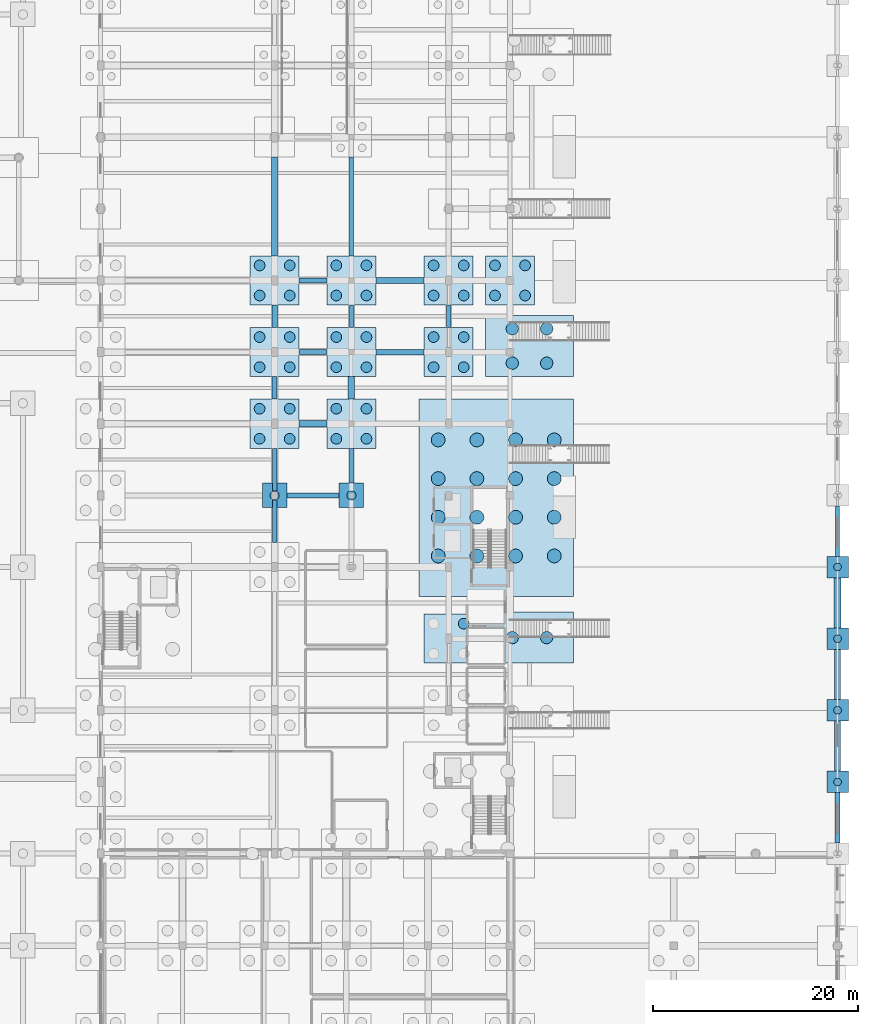
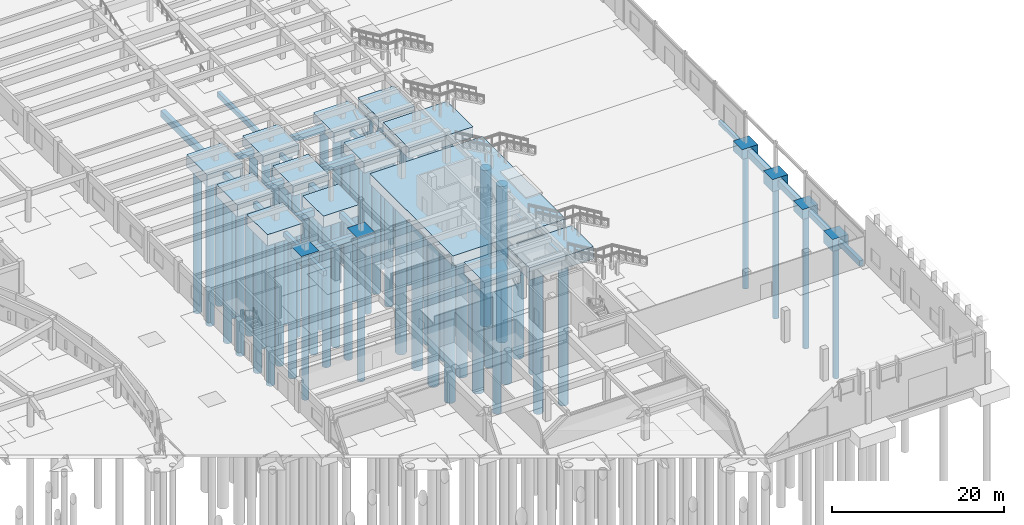
# One storey, part 10 of 84: 65 piles, 39 footings.
"""IFC4 building model written with IfcOpenShell, lengths in metres."""

from ifc_helpers import new_model, si_unit, direction, frame, origin, origin_2d, place, context, subcontext, project, spatial, rectangle, circle, extrude, material, material_profile, profile_set, type_object, element, save


model = new_model("IFC4")

# Units and contexts
model_context = context("Model", 3, precision=1e-05, world=origin(), true_north=direction((0.0, 1.0)))
body_context = subcontext(model_context, "Body", "Model", "MODEL_VIEW")
ifc_project = project(units=[si_unit("LENGTHUNIT", "METRE"), si_unit("AREAUNIT", "SQUARE_METRE"), si_unit("VOLUMEUNIT", "CUBIC_METRE"), si_unit("PLANEANGLEUNIT", "RADIAN"), si_unit("MASSUNIT", "GRAM", prefix="KILO")], contexts=[model_context])

# Site, building, storey
site_placement = place(None, origin())
site = spatial("IfcSite", under=ifc_project, at=site_placement, CompositionType="ELEMENT")
building_placement = place(site_placement, origin())
building = spatial("IfcBuilding", under=site, at=building_placement, Name="Larkveld Mobility Hub", CompositionType="ELEMENT")
storey_placement = place(building_placement, origin())
storey = spatial("IfcBuildingStorey", under=building, at=storey_placement, Name="L00", CompositionType="ELEMENT", Elevation=0.0)

# Footings
ifc_material = material(Name="Concrete C35/45", Category="concrete")
ifc_material_profile_1 = material_profile(ifc_material, rectangle(XDim=0.39990234375, YDim=0.60009765625, at=origin_2d()), Name="RC BM 400x600")
ifc_profile_set_1 = profile_set([ifc_material_profile_1], Name="Concrete C35/45")
footing_type_1 = type_object("IfcFootingType", Name="FT-FB01", PredefinedType="FOOTING_BEAM", material=ifc_profile_set_1)
footing_1_placement = place(storey_placement, frame((136.5, 79.39990234375, -0.64990234375), z_axis=(0.0, 1.0, 0.0), x_axis=(-1.0, 0.0, 0.0)))
element("IfcFooting", 1, at=footing_1_placement, inside=storey, type_object=footing_type_1, Name="Ground Tie Beam GB-169", PredefinedType="FOOTING_BEAM", context=body_context, shape_type="SweptSolid", body=[
    extrude(rectangle(XDim=0.39990234375, YDim=0.60009765625, at=origin_2d()), origin(), (0.0, 0.0, 1.0), 2.2001953125),
])
footing_2_placement = place(storey_placement, frame((184.0, 57.050048828125, -0.64990234375), z_axis=(0.0, 1.0, 0.0), x_axis=(-1.0, 0.0, 0.0)))
element("IfcFooting", 2, at=footing_2_placement, inside=storey, type_object=footing_type_1, Name="Ground Tie Beam GB-199", PredefinedType="FOOTING_BEAM", context=body_context, shape_type="SweptSolid", body=[
    extrude(rectangle(XDim=0.39990234375, YDim=0.60009765625, at=origin_2d()), origin(), (0.0, 0.0, 1.0), 4.89990234375),
])
ifc_material_profile_2 = material_profile(ifc_material, rectangle(XDim=0.449951171875, YDim=0.699951171875, at=origin_2d()), Name="RC BM 450x700")
ifc_profile_set_2 = profile_set([ifc_material_profile_2], Name="Concrete C35/45")
footing_type_2 = type_object("IfcFootingType", Name="FT-FB02", PredefinedType="FOOTING_BEAM", material=ifc_profile_set_2)
footing_3_placement = place(storey_placement, frame((129.0, 58.39990234375, -0.699951171875), z_axis=(0.0, 1.0, 0.0), x_axis=(-1.0, 0.0, 0.0)))
element("IfcFooting", 3, at=footing_3_placement, inside=storey, type_object=footing_type_2, Name="Ground Tie Beam GB-158", PredefinedType="FOOTING_BEAM", context=body_context, shape_type="SweptSolid", body=[
    extrude(rectangle(XDim=0.449951171875, YDim=0.699951171875, at=origin_2d()), origin(), (0.0, 0.0, 1.0), 9.2001953125),
])
footing_4_placement = place(storey_placement, frame((136.5, 86.39990234375, -0.699951171875), z_axis=(0.0, 1.0, 0.0), x_axis=(-1.0, 0.0, 0.0)))
element("IfcFooting", 4, at=footing_4_placement, inside=storey, type_object=footing_type_2, Name="Ground Tie Beam GB-170", PredefinedType="FOOTING_BEAM", context=body_context, shape_type="SweptSolid", body=[
    extrude(rectangle(XDim=0.449951171875, YDim=0.699951171875, at=origin_2d()), origin(), (0.0, 0.0, 1.0), 9.650146484375),
])
footing_5_placement = place(storey_placement, frame((146.0, 79.39990234375, -0.699951171875), z_axis=(0.0, 1.0, 0.0), x_axis=(-1.0, 0.0, 0.0)))
element("IfcFooting", 5, at=footing_5_placement, inside=storey, type_object=footing_type_2, Name="Ground Tie Beam GB-176", PredefinedType="FOOTING_BEAM", context=body_context, shape_type="SweptSolid", body=[
    extrude(rectangle(XDim=0.449951171875, YDim=0.699951171875, at=origin_2d()), origin(), (0.0, 0.0, 1.0), 2.2001953125),
])
ifc_material_profile_3 = material_profile(ifc_material, rectangle(XDim=0.5, YDim=0.800048828125, at=origin_2d()), Name="RC BM 500x800")
ifc_profile_set_3 = profile_set([ifc_material_profile_3], Name="Concrete C35/45")
footing_type_3 = type_object("IfcFootingType", Name="FT-FB03", PredefinedType="FOOTING_BEAM", material=ifc_profile_set_3)
for number, where, z_axis, x_axis, name in (
    (6, (131.39990234375, 77.0, -0.75), (1.0, 0.0, 0.0), (0.0, 1.0, 0.0), "Ground Tie Beam GB-045"),
    (7, (131.39990234375, 84.0, -0.75), (1.0, 0.0, 0.0), (0.0, 1.0, 0.0), "Ground Tie Beam GB-051"),
):
    element("IfcFooting", number, at=place(storey_placement, frame(where, z_axis=z_axis, x_axis=x_axis)), inside=storey, type_object=footing_type_3, Name=name, PredefinedType="FOOTING_BEAM", context=body_context, shape_type="SweptSolid", body=[
        extrude(rectangle(XDim=0.5, YDim=0.800048828125, at=origin_2d()), origin(), (0.0, 0.0, 1.0), 2.7001953125),
    ])
footing_6_placement = place(storey_placement, frame((129.0, 72.39990234375, -0.75), z_axis=(0.0, 1.0, 0.0), x_axis=(-1.0, 0.0, 0.0)))
element("IfcFooting", 8, at=footing_6_placement, inside=storey, type_object=footing_type_3, Name="Ground Tie Beam GB-159", PredefinedType="FOOTING_BEAM", context=body_context, shape_type="SweptSolid", body=[
    extrude(rectangle(XDim=0.5, YDim=0.800048828125, at=origin_2d()), origin(), (0.0, 0.0, 1.0), 2.2001953125),
])
footing_7_placement = place(storey_placement, frame((184.0, 29.050048828125, -0.75), z_axis=(0.0, 1.0, 0.0), x_axis=(-1.0, 0.0, 0.0)))
element("IfcFooting", 9, at=footing_7_placement, inside=storey, type_object=footing_type_3, Name="Ground Tie Beam GB-195", PredefinedType="FOOTING_BEAM", context=body_context, shape_type="SweptSolid", body=[
    extrude(rectangle(XDim=0.5, YDim=0.800048828125, at=origin_2d()), origin(), (0.0, 0.0, 1.0), 4.89990234375),
])
footing_8_placement = place(storey_placement, frame((130.199951171875, 63.0, -0.580078125), z_axis=(1.0, 0.0, 0.0), x_axis=(0.0, 1.0, 0.0)))
element("IfcFooting", 10, at=footing_8_placement, inside=storey, type_object=footing_type_3, Name="Passage Ground Tie Beam PGB-013", PredefinedType="FOOTING_BEAM", context=body_context, shape_type="SweptSolid", body=[
    extrude(rectangle(XDim=0.5, YDim=0.800048828125, at=origin_2d()), origin(), (0.0, 0.0, 1.0), 5.10009765625),
])
footing_9_placement = place(storey_placement, frame((136.5, 64.199951171875, -0.580078125), z_axis=(0.0, 1.0, 0.0), x_axis=(-1.0, 0.0, 0.0)))
element("IfcFooting", 11, at=footing_9_placement, inside=storey, type_object=footing_type_3, Name="Passage Ground Tie Beam PGB-031", PredefinedType="FOOTING_BEAM", context=body_context, shape_type="SweptSolid", body=[
    extrude(rectangle(XDim=0.5, YDim=0.800048828125, at=origin_2d()), origin(), (0.0, 0.0, 1.0), 3.400146484375),
])
ifc_material_profile_4 = material_profile(ifc_material, rectangle(XDim=0.550048828125, YDim=0.85009765625, at=origin_2d()), Name="RC BM 550x850")
ifc_profile_set_4 = profile_set([ifc_material_profile_4], Name="Concrete C35/45")
footing_type_4 = type_object("IfcFootingType", Name="FT-FB04", PredefinedType="FOOTING_BEAM", material=ifc_profile_set_4)
for number, where, z_axis, x_axis, name in (
    (12, (138.89990234375, 77.0, -0.77490234375), (1.0, 0.0, 0.0), (0.0, 1.0, 0.0), "Ground Tie Beam GB-046"),
    (13, (138.89990234375, 84.0, -0.77490234375), (1.0, 0.0, 0.0), (0.0, 1.0, 0.0), "Ground Tie Beam GB-052"),
):
    element("IfcFooting", number, at=place(storey_placement, frame(where, z_axis=z_axis, x_axis=x_axis)), inside=storey, type_object=footing_type_4, Name=name, PredefinedType="FOOTING_BEAM", context=body_context, shape_type="SweptSolid", body=[
        extrude(rectangle(XDim=0.550048828125, YDim=0.85009765625, at=origin_2d()), origin(), (0.0, 0.0, 1.0), 4.7001953125),
    ])
footing_10_placement = place(storey_placement, frame((129.0, 79.39990234375, -0.77490234375), z_axis=(0.0, 1.0, 0.0), x_axis=(-1.0, 0.0, 0.0)))
element("IfcFooting", 14, at=footing_10_placement, inside=storey, type_object=footing_type_4, Name="Ground Tie Beam GB-160", PredefinedType="FOOTING_BEAM", context=body_context, shape_type="SweptSolid", body=[
    extrude(rectangle(XDim=0.550048828125, YDim=0.85009765625, at=origin_2d()), origin(), (0.0, 0.0, 1.0), 2.2001953125),
])
footing_11_placement = place(storey_placement, frame((184.0, 36.050048828125, -0.77490234375), z_axis=(0.0, 1.0, 0.0), x_axis=(-1.0, 0.0, 0.0)))
element("IfcFooting", 15, at=footing_11_placement, inside=storey, type_object=footing_type_4, Name="Ground Tie Beam GB-196", PredefinedType="FOOTING_BEAM", context=body_context, shape_type="SweptSolid", body=[
    extrude(rectangle(XDim=0.550048828125, YDim=0.85009765625, at=origin_2d()), origin(), (0.0, 0.0, 1.0), 4.89990234375),
])
ifc_material_profile_5 = material_profile(ifc_material, rectangle(XDim=0.60009765625, YDim=0.89990234375, at=origin_2d()), Name="RC BM 600x900")
ifc_profile_set_5 = profile_set([ifc_material_profile_5], Name="Concrete C35/45")
footing_type_5 = type_object("IfcFootingType", Name="FT-FB05", PredefinedType="FOOTING_BEAM", material=ifc_profile_set_5)
footing_12_placement = place(storey_placement, frame((131.39990234375, 70.0, -0.800048828125), z_axis=(1.0, 0.0, 0.0), x_axis=(0.0, 1.0, 0.0)))
element("IfcFooting", 16, at=footing_12_placement, inside=storey, type_object=footing_type_5, Name="Ground Tie Beam GB-041", PredefinedType="FOOTING_BEAM", context=body_context, shape_type="SweptSolid", body=[
    extrude(rectangle(XDim=0.60009765625, YDim=0.89990234375, at=origin_2d()), origin(), (0.0, 0.0, 1.0), 2.7001953125),
])
footing_13_placement = place(storey_placement, frame((129.0, 86.39990234375, -0.800048828125), z_axis=(0.0, 1.0, 0.0), x_axis=(-1.0, 0.0, 0.0)))
element("IfcFooting", 17, at=footing_13_placement, inside=storey, type_object=footing_type_5, Name="Ground Tie Beam GB-161", PredefinedType="FOOTING_BEAM", context=body_context, shape_type="SweptSolid", body=[
    extrude(rectangle(XDim=0.60009765625, YDim=0.89990234375, at=origin_2d()), origin(), (0.0, 0.0, 1.0), 9.650146484375),
])
footing_14_placement = place(storey_placement, frame((184.0, 43.050048828125, -0.800048828125), z_axis=(0.0, 1.0, 0.0), x_axis=(-1.0, 0.0, 0.0)))
element("IfcFooting", 18, at=footing_14_placement, inside=storey, type_object=footing_type_5, Name="Ground Tie Beam GB-197", PredefinedType="FOOTING_BEAM", context=body_context, shape_type="SweptSolid", body=[
    extrude(rectangle(XDim=0.60009765625, YDim=0.89990234375, at=origin_2d()), origin(), (0.0, 0.0, 1.0), 4.89990234375),
])
ifc_material_profile_6 = material_profile(ifc_material, rectangle(XDim=0.64990234375, YDim=1.0, at=origin_2d()), Name="RC BM 650x1000")
ifc_profile_set_6 = profile_set([ifc_material_profile_6], Name="Concrete C35/45")
footing_type_6 = type_object("IfcFootingType", Name="FT-FB06", PredefinedType="FOOTING_BEAM", material=ifc_profile_set_6)
footing_15_placement = place(storey_placement, frame((136.5, 72.39990234375, -0.85009765625), z_axis=(0.0, 1.0, 0.0), x_axis=(-1.0, 0.0, 0.0)))
element("IfcFooting", 19, at=footing_15_placement, inside=storey, type_object=footing_type_6, Name="Ground Tie Beam GB-168", PredefinedType="FOOTING_BEAM", context=body_context, shape_type="SweptSolid", body=[
    extrude(rectangle(XDim=0.64990234375, YDim=1.0, at=origin_2d()), origin(), (0.0, 0.0, 1.0), 2.2001953125),
])
footing_16_placement = place(storey_placement, frame((184.0, 50.050048828125, -0.85009765625), z_axis=(0.0, 1.0, 0.0), x_axis=(-1.0, 0.0, 0.0)))
element("IfcFooting", 20, at=footing_16_placement, inside=storey, type_object=footing_type_6, Name="Ground Tie Beam GB-198", PredefinedType="FOOTING_BEAM", context=body_context, shape_type="SweptSolid", body=[
    extrude(rectangle(XDim=0.64990234375, YDim=1.0, at=origin_2d()), origin(), (0.0, 0.0, 1.0), 4.89990234375),
])
footing_type_7 = type_object("IfcFootingType", Name="FT-PC01", PredefinedType="PILE_CAP", material=ifc_material)
footing_17_placement = place(storey_placement, frame((184.0, 56.0, -1.39990234375), z_axis=(0.0, 0.0, 1.0), x_axis=(1.0, 0.0, 0.0)))
element("IfcFooting", 21, at=footing_17_placement, inside=storey, type_object=footing_type_7, Name="Pile Cap PC-097", PredefinedType="PILE_CAP", context=body_context, shape_type="SweptSolid", body=[
    extrude(rectangle(XDim=2.10009765625, YDim=2.10009765625, at=origin_2d()), origin(), (0.0, 0.0, 1.0), 1.39990234375),
])
for number, where, z_axis, x_axis, name in (
    (22, (136.5, 77.0, -1.39990234375), (0.0, 0.0, 1.0), (1.0, 0.0, 0.0), "Pile Cap PC-129"),
    (23, (136.5, 84.0, -1.39990234375), (0.0, 0.0, 1.0), (1.0, 0.0, 0.0), "Pile Cap PC-145"),
):
    element("IfcFooting", number, at=place(storey_placement, frame(where, z_axis=z_axis, x_axis=x_axis)), inside=storey, type_object=footing_type_7, Name=name, PredefinedType="PILE_CAP", context=body_context, shape_type="SweptSolid", body=[
        extrude(rectangle(XDim=4.800048828125, YDim=4.800048828125, at=origin_2d()), origin(), (0.0, 0.0, 1.0), 1.39990234375),
    ])
footing_type_8 = type_object("IfcFootingType", Name="FT-PC02", PredefinedType="PILE_CAP", material=ifc_material)
for number, where, z_axis, x_axis, name in (
    (24, (146.0, 77.0, -1.4501953125), (0.0, 0.0, 1.0), (1.0, 0.0, 0.0), "Pile Cap PC-130"),
    (25, (146.0, 84.0, -1.4501953125), (0.0, 0.0, 1.0), (1.0, 0.0, 0.0), "Pile Cap PC-146"),
):
    element("IfcFooting", number, at=place(storey_placement, frame(where, z_axis=z_axis, x_axis=x_axis)), inside=storey, type_object=footing_type_8, Name=name, PredefinedType="PILE_CAP", context=body_context, shape_type="SweptSolid", body=[
        extrude(rectangle(XDim=4.800048828125, YDim=4.800048828125, at=origin_2d()), origin(), (0.0, 0.0, 1.0), 1.449951171875),
    ])
footing_type_9 = type_object("IfcFootingType", Name="FT-PC03", PredefinedType="PILE_CAP", material=ifc_material)
footing_18_placement = place(storey_placement, frame((153.89990234375, 77.60009765625, -1.5), z_axis=(0.0, 0.0, 1.0), x_axis=(1.0, 0.0, 0.0)))
element("IfcFooting", 26, at=footing_18_placement, inside=storey, type_object=footing_type_9, Name="Pile Cap PC-131", PredefinedType="PILE_CAP", context=body_context, shape_type="SweptSolid", body=[
    extrude(rectangle(XDim=8.60009765625, YDim=6.0, at=origin_2d()), origin(), (0.0, 0.0, 1.0), 1.5),
])
footing_19_placement = place(storey_placement, frame((152.0, 84.0, -1.5), z_axis=(0.0, 0.0, 1.0), x_axis=(1.0, 0.0, 0.0)))
element("IfcFooting", 27, at=footing_19_placement, inside=storey, type_object=footing_type_9, Name="Pile Cap PC-147", PredefinedType="PILE_CAP", context=body_context, shape_type="SweptSolid", body=[
    extrude(rectangle(XDim=4.800048828125, YDim=4.800048828125, at=origin_2d()), origin(), (0.0, 0.0, 1.0), 1.5),
])
footing_type_10 = type_object("IfcFootingType", Name="FT-PC05", PredefinedType="PILE_CAP", material=ifc_material)
footing_20_placement = place(storey_placement, frame((129.0, 70.0, -1.60009765625), z_axis=(0.0, 0.0, 1.0), x_axis=(1.0, 0.0, 0.0)))
element("IfcFooting", 28, at=footing_20_placement, inside=storey, type_object=footing_type_10, Name="Pile Cap PC-117", PredefinedType="PILE_CAP", context=body_context, shape_type="SweptSolid", body=[
    extrude(rectangle(XDim=4.800048828125, YDim=4.800048828125, at=origin_2d()), origin(), (0.0, 0.0, 1.0), 1.60009765625),
])
footing_type_11 = type_object("IfcFootingType", Name="FT-PC06", PredefinedType="PILE_CAP", material=ifc_material)
footing_21_placement = place(storey_placement, frame((136.5, 70.0, -1.60009765625), z_axis=(0.0, 0.0, 1.0), x_axis=(1.0, 0.0, 0.0)))
element("IfcFooting", 29, at=footing_21_placement, inside=storey, type_object=footing_type_11, Name="Pile Cap PC-118", PredefinedType="PILE_CAP", context=body_context, shape_type="SweptSolid", body=[
    extrude(rectangle(XDim=4.800048828125, YDim=4.800048828125, at=origin_2d()), origin(), (0.0, 0.0, 1.0), 1.60009765625),
])
footing_type_12 = type_object("IfcFootingType", Name="FT-PC08", PredefinedType="PILE_CAP", material=ifc_material)
footing_22_placement = place(storey_placement, frame((146.0, 49.0, -1.7001953125), z_axis=(0.0, 0.0, 1.0), x_axis=(1.0, 0.0, 0.0)))
element("IfcFooting", 30, at=footing_22_placement, inside=storey, type_object=footing_type_12, Name="Pile Cap PC-088", PredefinedType="PILE_CAP", context=body_context, shape_type="SweptSolid", body=[
    extrude(rectangle(XDim=4.800048828125, YDim=4.800048828125, at=origin_2d()), origin(), (0.0, 0.0, 1.0), 1.699951171875),
])
footing_type_13 = type_object("IfcFootingType", Name="FT-PC09", PredefinedType="PILE_CAP", material=ifc_material)
footing_23_placement = place(storey_placement, frame((153.89990234375, 49.10009765625, -1.75), z_axis=(0.0, 0.0, 1.0), x_axis=(1.0, 0.0, 0.0)))
element("IfcFooting", 31, at=footing_23_placement, inside=storey, type_object=footing_type_13, Name="Pile Cap PC-089", PredefinedType="PILE_CAP", context=body_context, shape_type="SweptSolid", body=[
    extrude(rectangle(XDim=8.60009765625, YDim=5.0, at=origin_2d()), origin(), (0.0, 0.0, 1.0), 1.75),
])
footing_type_14 = type_object("IfcFootingType", Name="FT-PC10", PredefinedType="PILE_CAP", material=ifc_material)
footing_24_placement = place(storey_placement, frame((184.0, 49.0, -1.75), z_axis=(0.0, 0.0, 1.0), x_axis=(1.0, 0.0, 0.0)))
element("IfcFooting", 32, at=footing_24_placement, inside=storey, type_object=footing_type_14, Name="Pile Cap PC-090", PredefinedType="PILE_CAP", context=body_context, shape_type="SweptSolid", body=[
    extrude(rectangle(XDim=2.10009765625, YDim=2.10009765625, at=origin_2d()), origin(), (0.0, 0.0, 1.0), 1.75),
])
footing_type_15 = type_object("IfcFootingType", Name="FT-PC13", PredefinedType="PILE_CAP", material=ifc_material)
footing_25_placement = place(storey_placement, frame((184.0, 42.0, -1.419921875), z_axis=(0.0, 0.0, 1.0), x_axis=(1.0, 0.0, 0.0)))
element("IfcFooting", 33, at=footing_25_placement, inside=storey, type_object=footing_type_15, Name="Pile Cap PC-077", PredefinedType="PILE_CAP", context=body_context, shape_type="SweptSolid", body=[
    extrude(rectangle(XDim=2.10009765625, YDim=2.10009765625, at=origin_2d()), origin(), (0.0, 0.0, 1.0), 1.419921875),
])
footing_26_placement = place(storey_placement, frame((150.64990234375, 62.75, -1.419921875), z_axis=(0.0, 0.0, 1.0), x_axis=(1.0, 0.0, 0.0)))
element("IfcFooting", 34, at=footing_26_placement, inside=storey, type_object=footing_type_15, Name="Pile Cap PC-093", PredefinedType="PILE_CAP", context=body_context, shape_type="SweptSolid", body=[
    extrude(rectangle(XDim=15.10009765625, YDim=19.300048828125, at=origin_2d()), origin(), (0.0, 0.0, 1.0), 1.419921875),
])
for number, where, z_axis, x_axis, name in (
    (35, (129.0, 63.0, -1.419921875), (0.0, 0.0, 1.0), (1.0, 0.0, 0.0), "Plinth Pile Cap PC-DL03"),
    (36, (136.5, 63.0, -1.419921875), (0.0, 0.0, 1.0), (1.0, 0.0, 0.0), "Plinth Pile Cap PC-DL05"),
):
    element("IfcFooting", number, at=place(storey_placement, frame(where, z_axis=z_axis, x_axis=x_axis)), inside=storey, type_object=footing_type_15, Name=name, PredefinedType="PILE_CAP", context=body_context, shape_type="SweptSolid", body=[
        extrude(rectangle(XDim=2.39990234375, YDim=2.39990234375, at=origin_2d()), origin(), (0.0, 0.0, 1.0), 1.419921875),
    ])
footing_type_16 = type_object("IfcFootingType", Name="FT-PC16", PredefinedType="PILE_CAP", material=ifc_material)
footing_27_placement = place(storey_placement, frame((184.0, 35.0, -1.72021484375), z_axis=(0.0, 0.0, 1.0), x_axis=(1.0, 0.0, 0.0)))
element("IfcFooting", 37, at=footing_27_placement, inside=storey, type_object=footing_type_16, Name="Pile Cap PC-064", PredefinedType="PILE_CAP", context=body_context, shape_type="SweptSolid", body=[
    extrude(rectangle(XDim=2.10009765625, YDim=2.10009765625, at=origin_2d()), origin(), (0.0, 0.0, 1.0), 1.719970703125),
])
for number, where, z_axis, x_axis, name in (
    (38, (129.0, 77.0, -1.72021484375), (0.0, 0.0, 1.0), (1.0, 0.0, 0.0), "Pile Cap PC-128"),
    (39, (129.0, 84.0, -1.72021484375), (0.0, 0.0, 1.0), (1.0, 0.0, 0.0), "Pile Cap PC-144"),
):
    element("IfcFooting", number, at=place(storey_placement, frame(where, z_axis=z_axis, x_axis=x_axis)), inside=storey, type_object=footing_type_16, Name=name, PredefinedType="PILE_CAP", context=body_context, shape_type="SweptSolid", body=[
        extrude(rectangle(XDim=4.800048828125, YDim=4.800048828125, at=origin_2d()), origin(), (0.0, 0.0, 1.0), 1.719970703125),
    ])

# Piles
ifc_material_profile_7 = material_profile(ifc_material, circle(Radius=0.375, at=origin_2d()), Name="PILE D750")
ifc_profile_set_7 = profile_set([ifc_material_profile_7], Name="Concrete C35/45")
pile_type_1 = type_object("IfcPileType", Name="PL-B0750", PredefinedType="BORED", material=ifc_profile_set_7)
pile_1_placement = place(storey_placement, frame((184.0, 35.0, -1.6201171875), z_axis=(0.0, 0.0, -1.0), x_axis=(1.0, 0.0, 0.0)))
element("IfcPile", 40, at=pile_1_placement, inside=storey, type_object=pile_type_1, Name="Bored Pile P-0207", PredefinedType="BORED", context=body_context, shape_type="SweptSolid", body=[
    extrude(circle(Radius=0.375, at=origin_2d()), origin(), (0.0, 0.0, 1.0), 18.8798828125),
])
pile_2_placement = place(storey_placement, frame((184.0, 42.0, -1.320068359375), z_axis=(0.0, 0.0, -1.0), x_axis=(1.0, 0.0, 0.0)))
element("IfcPile", 41, at=pile_2_placement, inside=storey, type_object=pile_type_1, Name="Bored Pile P-0236", PredefinedType="BORED", context=body_context, shape_type="SweptSolid", body=[
    extrude(circle(Radius=0.375, at=origin_2d()), origin(), (0.0, 0.0, 1.0), 19.179931640625),
])
pile_3_placement = place(storey_placement, frame((184.0, 49.0, -1.64990234375), z_axis=(0.0, 0.0, -1.0), x_axis=(1.0, 0.0, 0.0)))
element("IfcPile", 42, at=pile_3_placement, inside=storey, type_object=pile_type_1, Name="Bored Pile P-0272", PredefinedType="BORED", context=body_context, shape_type="SweptSolid", body=[
    extrude(circle(Radius=0.375, at=origin_2d()), origin(), (0.0, 0.0, 1.0), 18.85009765625),
])
pile_4_placement = place(storey_placement, frame((184.0, 56.0, -1.300048828125), z_axis=(0.0, 0.0, -1.0), x_axis=(1.0, 0.0, 0.0)))
element("IfcPile", 43, at=pile_4_placement, inside=storey, type_object=pile_type_1, Name="Bored Pile P-0297", PredefinedType="BORED", context=body_context, shape_type="SweptSolid", body=[
    extrude(circle(Radius=0.375, at=origin_2d()), origin(), (0.0, 0.0, 1.0), 19.199951171875),
])
ifc_material_profile_8 = material_profile(ifc_material, circle(Radius=0.449951171875, at=origin_2d()), Name="PILE D900")
ifc_profile_set_8 = profile_set([ifc_material_profile_8], Name="Concrete C35/45")
pile_type_2 = type_object("IfcPileType", Name="PL-B0900", PredefinedType="BORED", material=ifc_profile_set_8)
for number, where, z_axis, x_axis, name in (
    (44, (129.0, 63.0, -1.320068359375), (0.0, 0.0, -1.0), (1.0, 0.0, 0.0), "Bored Pile P-DL03"),
    (45, (136.5, 63.0, -1.320068359375), (0.0, 0.0, -1.0), (1.0, 0.0, 0.0), "Bored Pile P-DL05"),
):
    element("IfcPile", number, at=place(storey_placement, frame(where, z_axis=z_axis, x_axis=x_axis)), inside=storey, type_object=pile_type_2, Name=name, PredefinedType="BORED", context=body_context, shape_type="SweptSolid", body=[
        extrude(circle(Radius=0.449951171875, at=origin_2d()), origin(), (0.0, 0.0, 1.0), 19.8798828125),
    ])
ifc_material_profile_9 = material_profile(ifc_material, circle(Radius=0.52490234375, at=origin_2d()), Name="PILE D1050")
ifc_profile_set_9 = profile_set([ifc_material_profile_9], Name="Concrete C35/45")
pile_type_3 = type_object("IfcPileType", Name="PL-B1050", PredefinedType="BORED", material=ifc_profile_set_9)
pile_5_placement = place(storey_placement, frame((147.469970703125, 50.469970703125, -1.60009765625), z_axis=(0.0, 0.0, -1.0), x_axis=(1.0, 0.0, 0.0)))
element("IfcPile", 46, at=pile_5_placement, inside=storey, type_object=pile_type_3, Name="Bored Pile P-0269", PredefinedType="BORED", context=body_context, shape_type="SweptSolid", body=[
    extrude(circle(Radius=0.52490234375, at=origin_2d()), origin(), (0.0, 0.0, 1.0), 20.39990234375),
])
for number, where, z_axis, x_axis, name in (
    (47, (127.530029296875, 68.530029296875, -1.5), (0.0, 0.0, -1.0), (1.0, 0.0, 0.0), "Bored Pile P-0332"),
    (48, (127.530029296875, 71.469970703125, -1.5), (0.0, 0.0, -1.0), (1.0, 0.0, 0.0), "Bored Pile P-0333"),
    (49, (130.469970703125, 68.530029296875, -1.5), (0.0, 0.0, -1.0), (1.0, 0.0, 0.0), "Bored Pile P-0334"),
    (50, (130.469970703125, 71.469970703125, -1.5), (0.0, 0.0, -1.0), (1.0, 0.0, 0.0), "Bored Pile P-0335"),
    (51, (135.030029296875, 68.530029296875, -1.5), (0.0, 0.0, -1.0), (1.0, 0.0, 0.0), "Bored Pile P-0336"),
    (52, (135.030029296875, 71.469970703125, -1.5), (0.0, 0.0, -1.0), (1.0, 0.0, 0.0), "Bored Pile P-0337"),
    (53, (137.969970703125, 68.530029296875, -1.5), (0.0, 0.0, -1.0), (1.0, 0.0, 0.0), "Bored Pile P-0338"),
    (54, (137.969970703125, 71.469970703125, -1.5), (0.0, 0.0, -1.0), (1.0, 0.0, 0.0), "Bored Pile P-0339"),
):
    element("IfcPile", number, at=place(storey_placement, frame(where, z_axis=z_axis, x_axis=x_axis)), inside=storey, type_object=pile_type_3, Name=name, PredefinedType="BORED", context=body_context, shape_type="SweptSolid", body=[
        extrude(circle(Radius=0.52490234375, at=origin_2d()), origin(), (0.0, 0.0, 1.0), 20.5),
    ])
for number, where, z_axis, x_axis, name in (
    (55, (127.530029296875, 75.530029296875, -1.6201171875), (0.0, 0.0, -1.0), (1.0, 0.0, 0.0), "Bored Pile P-0361"),
    (56, (127.530029296875, 78.469970703125, -1.6201171875), (0.0, 0.0, -1.0), (1.0, 0.0, 0.0), "Bored Pile P-0362"),
    (57, (130.469970703125, 75.530029296875, -1.6201171875), (0.0, 0.0, -1.0), (1.0, 0.0, 0.0), "Bored Pile P-0363"),
    (58, (130.469970703125, 78.469970703125, -1.6201171875), (0.0, 0.0, -1.0), (1.0, 0.0, 0.0), "Bored Pile P-0364"),
):
    element("IfcPile", number, at=place(storey_placement, frame(where, z_axis=z_axis, x_axis=x_axis)), inside=storey, type_object=pile_type_3, Name=name, PredefinedType="BORED", context=body_context, shape_type="SweptSolid", body=[
        extrude(circle(Radius=0.52490234375, at=origin_2d()), origin(), (0.0, 0.0, 1.0), 20.3798828125),
    ])
for number, where, z_axis, x_axis, name in (
    (59, (135.030029296875, 75.530029296875, -1.300048828125), (0.0, 0.0, -1.0), (1.0, 0.0, 0.0), "Bored Pile P-0365"),
    (60, (135.030029296875, 78.469970703125, -1.300048828125), (0.0, 0.0, -1.0), (1.0, 0.0, 0.0), "Bored Pile P-0366"),
    (61, (137.969970703125, 75.530029296875, -1.300048828125), (0.0, 0.0, -1.0), (1.0, 0.0, 0.0), "Bored Pile P-0367"),
    (62, (137.969970703125, 78.469970703125, -1.300048828125), (0.0, 0.0, -1.0), (1.0, 0.0, 0.0), "Bored Pile P-0368"),
):
    element("IfcPile", number, at=place(storey_placement, frame(where, z_axis=z_axis, x_axis=x_axis)), inside=storey, type_object=pile_type_3, Name=name, PredefinedType="BORED", context=body_context, shape_type="SweptSolid", body=[
        extrude(circle(Radius=0.52490234375, at=origin_2d()), origin(), (0.0, 0.0, 1.0), 20.699951171875),
    ])
for number, where, z_axis, x_axis, name in (
    (63, (144.530029296875, 75.530029296875, -1.35009765625), (0.0, 0.0, -1.0), (1.0, 0.0, 0.0), "Bored Pile P-0369"),
    (64, (144.530029296875, 78.469970703125, -1.35009765625), (0.0, 0.0, -1.0), (1.0, 0.0, 0.0), "Bored Pile P-0370"),
    (65, (147.469970703125, 75.530029296875, -1.35009765625), (0.0, 0.0, -1.0), (1.0, 0.0, 0.0), "Bored Pile P-0371"),
    (66, (147.469970703125, 78.469970703125, -1.35009765625), (0.0, 0.0, -1.0), (1.0, 0.0, 0.0), "Bored Pile P-0372"),
):
    element("IfcPile", number, at=place(storey_placement, frame(where, z_axis=z_axis, x_axis=x_axis)), inside=storey, type_object=pile_type_3, Name=name, PredefinedType="BORED", context=body_context, shape_type="SweptSolid", body=[
        extrude(circle(Radius=0.52490234375, at=origin_2d()), origin(), (0.0, 0.0, 1.0), 20.64990234375),
    ])
for number, where, z_axis, x_axis, name in (
    (67, (127.530029296875, 82.530029296875, -1.6201171875), (0.0, 0.0, -1.0), (1.0, 0.0, 0.0), "Bored Pile P-0422"),
    (68, (127.530029296875, 85.469970703125, -1.6201171875), (0.0, 0.0, -1.0), (1.0, 0.0, 0.0), "Bored Pile P-0423"),
    (69, (130.469970703125, 82.530029296875, -1.6201171875), (0.0, 0.0, -1.0), (1.0, 0.0, 0.0), "Bored Pile P-0424"),
    (70, (130.469970703125, 85.469970703125, -1.6201171875), (0.0, 0.0, -1.0), (1.0, 0.0, 0.0), "Bored Pile P-0425"),
):
    element("IfcPile", number, at=place(storey_placement, frame(where, z_axis=z_axis, x_axis=x_axis)), inside=storey, type_object=pile_type_3, Name=name, PredefinedType="BORED", context=body_context, shape_type="SweptSolid", body=[
        extrude(circle(Radius=0.52490234375, at=origin_2d()), origin(), (0.0, 0.0, 1.0), 20.3798828125),
    ])
for number, where, z_axis, x_axis, name in (
    (71, (135.030029296875, 82.530029296875, -1.300048828125), (0.0, 0.0, -1.0), (1.0, 0.0, 0.0), "Bored Pile P-0426"),
    (72, (135.030029296875, 85.469970703125, -1.300048828125), (0.0, 0.0, -1.0), (1.0, 0.0, 0.0), "Bored Pile P-0427"),
    (73, (137.969970703125, 82.530029296875, -1.300048828125), (0.0, 0.0, -1.0), (1.0, 0.0, 0.0), "Bored Pile P-0428"),
    (74, (137.969970703125, 85.469970703125, -1.300048828125), (0.0, 0.0, -1.0), (1.0, 0.0, 0.0), "Bored Pile P-0429"),
):
    element("IfcPile", number, at=place(storey_placement, frame(where, z_axis=z_axis, x_axis=x_axis)), inside=storey, type_object=pile_type_3, Name=name, PredefinedType="BORED", context=body_context, shape_type="SweptSolid", body=[
        extrude(circle(Radius=0.52490234375, at=origin_2d()), origin(), (0.0, 0.0, 1.0), 20.699951171875),
    ])
for number, where, z_axis, x_axis, name in (
    (75, (144.530029296875, 82.530029296875, -1.35009765625), (0.0, 0.0, -1.0), (1.0, 0.0, 0.0), "Bored Pile P-0430"),
    (76, (144.530029296875, 85.469970703125, -1.35009765625), (0.0, 0.0, -1.0), (1.0, 0.0, 0.0), "Bored Pile P-0431"),
    (77, (147.469970703125, 82.530029296875, -1.35009765625), (0.0, 0.0, -1.0), (1.0, 0.0, 0.0), "Bored Pile P-0432"),
    (78, (147.469970703125, 85.469970703125, -1.35009765625), (0.0, 0.0, -1.0), (1.0, 0.0, 0.0), "Bored Pile P-0433"),
):
    element("IfcPile", number, at=place(storey_placement, frame(where, z_axis=z_axis, x_axis=x_axis)), inside=storey, type_object=pile_type_3, Name=name, PredefinedType="BORED", context=body_context, shape_type="SweptSolid", body=[
        extrude(circle(Radius=0.52490234375, at=origin_2d()), origin(), (0.0, 0.0, 1.0), 20.64990234375),
    ])
for number, where, z_axis, x_axis, name in (
    (79, (150.530029296875, 82.530029296875, -1.39990234375), (0.0, 0.0, -1.0), (1.0, 0.0, 0.0), "Bored Pile P-0434"),
    (80, (150.530029296875, 85.469970703125, -1.39990234375), (0.0, 0.0, -1.0), (1.0, 0.0, 0.0), "Bored Pile P-0435"),
    (81, (153.469970703125, 82.530029296875, -1.39990234375), (0.0, 0.0, -1.0), (1.0, 0.0, 0.0), "Bored Pile P-0436"),
    (82, (153.469970703125, 85.469970703125, -1.39990234375), (0.0, 0.0, -1.0), (1.0, 0.0, 0.0), "Bored Pile P-0437"),
):
    element("IfcPile", number, at=place(storey_placement, frame(where, z_axis=z_axis, x_axis=x_axis)), inside=storey, type_object=pile_type_3, Name=name, PredefinedType="BORED", context=body_context, shape_type="SweptSolid", body=[
        extrude(circle(Radius=0.52490234375, at=origin_2d()), origin(), (0.0, 0.0, 1.0), 20.60009765625),
    ])
ifc_material_profile_10 = material_profile(ifc_material, circle(Radius=0.60009765625, at=origin_2d()), Name="PILE D1200")
ifc_profile_set_10 = profile_set([ifc_material_profile_10], Name="Concrete C35/45")
pile_type_4 = type_object("IfcPileType", Name="PL-B1200", PredefinedType="BORED", material=ifc_profile_set_10)
for number, where, z_axis, x_axis, name in (
    (83, (152.219970703125, 49.10009765625, -1.64990234375), (0.0, 0.0, -1.0), (1.0, 0.0, 0.0), "Bored Pile P-0270"),
    (84, (155.580078125, 49.10009765625, -1.64990234375), (0.0, 0.0, -1.0), (1.0, 0.0, 0.0), "Bored Pile P-0271"),
):
    element("IfcPile", number, at=place(storey_placement, frame(where, z_axis=z_axis, x_axis=x_axis)), inside=storey, type_object=pile_type_4, Name=name, PredefinedType="BORED", context=body_context, shape_type="SweptSolid", body=[
        extrude(circle(Radius=0.60009765625, at=origin_2d()), origin(), (0.0, 0.0, 1.0), 21.14990234375),
    ])
for number, where, z_axis, x_axis, name in (
    (85, (152.219970703125, 75.919921875, -1.39990234375), (0.0, 0.0, -1.0), (1.0, 0.0, 0.0), "Bored Pile P-0373"),
    (86, (152.219970703125, 79.280029296875, -1.39990234375), (0.0, 0.0, -1.0), (1.0, 0.0, 0.0), "Bored Pile P-0374"),
    (87, (155.580078125, 75.919921875, -1.39990234375), (0.0, 0.0, -1.0), (1.0, 0.0, 0.0), "Bored Pile P-0375"),
    (88, (155.580078125, 79.280029296875, -1.39990234375), (0.0, 0.0, -1.0), (1.0, 0.0, 0.0), "Bored Pile P-0376"),
):
    element("IfcPile", number, at=place(storey_placement, frame(where, z_axis=z_axis, x_axis=x_axis)), inside=storey, type_object=pile_type_4, Name=name, PredefinedType="BORED", context=body_context, shape_type="SweptSolid", body=[
        extrude(circle(Radius=0.60009765625, at=origin_2d()), origin(), (0.0, 0.0, 1.0), 21.39990234375),
    ])
ifc_material_profile_11 = material_profile(ifc_material, circle(Radius=0.675048828125, at=origin_2d()), Name="PILE D1350")
ifc_profile_set_11 = profile_set([ifc_material_profile_11], Name="Concrete C35/45")
pile_type_5 = type_object("IfcPileType", Name="PL-B1350", PredefinedType="BORED", material=ifc_profile_set_11)
for number, where, z_axis, x_axis, name in (
    (89, (144.97998046875, 57.080078125, -1.320068359375), (0.0, 0.0, -1.0), (1.0, 0.0, 0.0), "Bored Pile P-0275"),
    (90, (144.97998046875, 60.860107421875, -1.320068359375), (0.0, 0.0, -1.0), (1.0, 0.0, 0.0), "Bored Pile P-0276"),
    (91, (144.97998046875, 64.639892578125, -1.320068359375), (0.0, 0.0, -1.0), (1.0, 0.0, 0.0), "Bored Pile P-0277"),
    (92, (144.97998046875, 68.419921875, -1.320068359375), (0.0, 0.0, -1.0), (1.0, 0.0, 0.0), "Bored Pile P-0278"),
    (93, (148.760009765625, 57.080078125, -1.320068359375), (0.0, 0.0, -1.0), (1.0, 0.0, 0.0), "Bored Pile P-0279"),
    (94, (148.760009765625, 60.860107421875, -1.320068359375), (0.0, 0.0, -1.0), (1.0, 0.0, 0.0), "Bored Pile P-0280"),
    (95, (148.760009765625, 64.639892578125, -1.320068359375), (0.0, 0.0, -1.0), (1.0, 0.0, 0.0), "Bored Pile P-0281"),
    (96, (148.760009765625, 68.419921875, -1.320068359375), (0.0, 0.0, -1.0), (1.0, 0.0, 0.0), "Bored Pile P-0282"),
    (97, (152.5400390625, 57.080078125, -1.320068359375), (0.0, 0.0, -1.0), (1.0, 0.0, 0.0), "Bored Pile P-0283"),
    (98, (152.5400390625, 60.860107421875, -1.320068359375), (0.0, 0.0, -1.0), (1.0, 0.0, 0.0), "Bored Pile P-0284"),
    (99, (152.5400390625, 64.639892578125, -1.320068359375), (0.0, 0.0, -1.0), (1.0, 0.0, 0.0), "Bored Pile P-0285"),
    (100, (152.5400390625, 68.419921875, -1.320068359375), (0.0, 0.0, -1.0), (1.0, 0.0, 0.0), "Bored Pile P-0286"),
    (101, (156.320068359375, 57.080078125, -1.320068359375), (0.0, 0.0, -1.0), (1.0, 0.0, 0.0), "Bored Pile P-0287"),
    (102, (156.320068359375, 60.860107421875, -1.320068359375), (0.0, 0.0, -1.0), (1.0, 0.0, 0.0), "Bored Pile P-0288"),
    (103, (156.320068359375, 64.639892578125, -1.320068359375), (0.0, 0.0, -1.0), (1.0, 0.0, 0.0), "Bored Pile P-0289"),
    (104, (156.320068359375, 68.419921875, -1.320068359375), (0.0, 0.0, -1.0), (1.0, 0.0, 0.0), "Bored Pile P-0290"),
):
    element("IfcPile", number, at=place(storey_placement, frame(where, z_axis=z_axis, x_axis=x_axis)), inside=storey, type_object=pile_type_5, Name=name, PredefinedType="BORED", context=body_context, shape_type="SweptSolid", body=[
        extrude(circle(Radius=0.675048828125, at=origin_2d()), origin(), (0.0, 0.0, 1.0), 22.179931640625),
    ])

save(model, "model.ifc")
